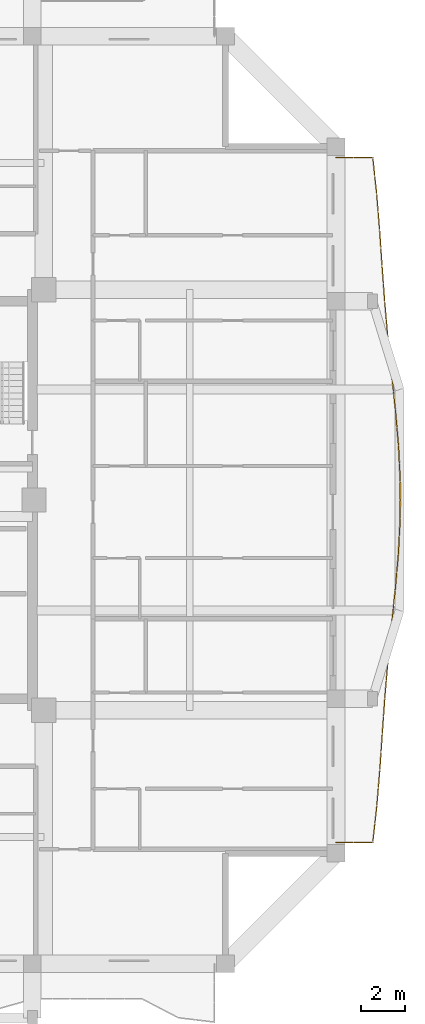
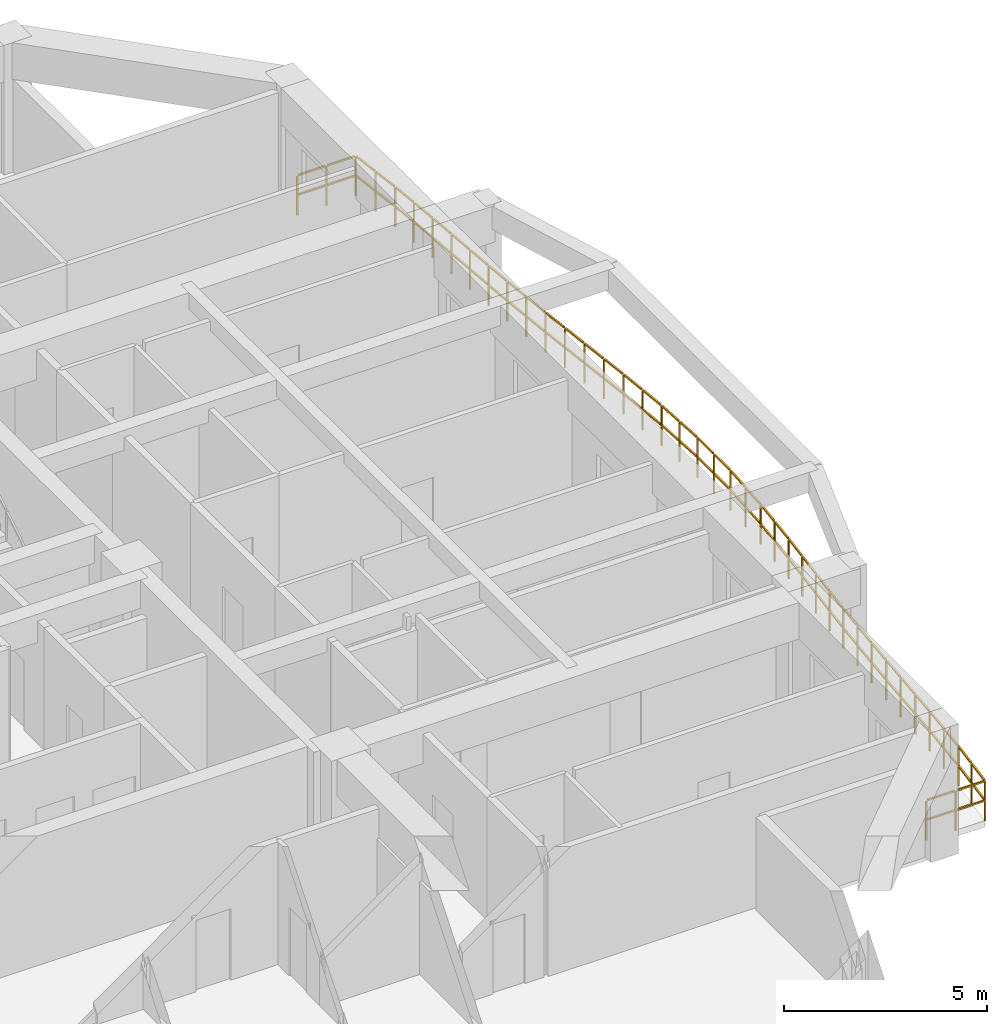
# One storey, part 12 of 13: 1 railing.
"""IFC4 building model written with IfcOpenShell, lengths in metres."""

from ifc_helpers import new_model, si_unit, direction, frame, origin, origin_2d, place, context, subcontext, project, spatial, rectangle, extrude, material, type_object, element, save


model = new_model("IFC4")

# Units and contexts
model_context = context("Model", 3, precision=1e-05, world=origin(), true_north=direction((0.0, 1.0)))
body_context = subcontext(model_context, "Body", "Model", "MODEL_VIEW")
ifc_project = project(units=[si_unit("LENGTHUNIT", "METRE"), si_unit("AREAUNIT", "SQUARE_METRE"), si_unit("VOLUMEUNIT", "CUBIC_METRE"), si_unit("PLANEANGLEUNIT", "RADIAN"), si_unit("MASSUNIT", "GRAM", prefix="KILO")], contexts=[model_context])

# Site, building, storey
site_placement = place(None, origin())
site = spatial("IfcSite", under=ifc_project, at=site_placement, CompositionType="ELEMENT")
building_placement = place(site_placement, origin())
building = spatial("IfcBuilding", under=site, at=building_placement, Name="Saelheon Loggia Tower", CompositionType="ELEMENT")
storey_placement = place(building_placement, frame((0.0, 0.0, 172.89990234375)))
storey = spatial("IfcBuildingStorey", under=building, at=storey_placement, Name="L54", CompositionType="ELEMENT", Elevation=172.89990234375)

# Railing
ifc_material = material(Name="Architectural Precast Concrete and Laminated Glass Guard", Category="concrete")
railing_type = type_object("IfcRailingType", Name="Guard_Loggia_RL_LOG", PredefinedType="BALUSTRADE", material=ifc_material)
railing_placement = place(storey_placement, frame((58.25, 11.5, 0.0)))
element("IfcRailing", 1, at=railing_placement, inside=storey, type_object=railing_type, Name="L54 East Loggia Balustrade", PredefinedType="BALUSTRADE", context=body_context, shape_type="SweptSolid", body=[
    extrude(rectangle(XDim=0.048095703125, YDim=0.048095703125, at=origin_2d()), frame((0.033203125, 0.0, 1.19580078125), z_axis=(1.0, 0.0, 0.0), x_axis=(0.0, 1.0, 0.0)), (0.0, 0.0, 1.0), 0.7685546875),
    extrude(rectangle(XDim=0.048095703125, YDim=0.048095703125, at=origin_2d()), frame((0.033203125, 0.0, 0.60986328125), z_axis=(1.0, 0.0, 0.0), x_axis=(0.0, 1.0, 0.0)), (0.0, 0.0, 1.0), 0.7685546875),
    extrude(rectangle(XDim=0.048095703125, YDim=0.048095703125, at=origin_2d()), frame((0.8681640625, 0.0, 1.19580078125), z_axis=(1.0, 0.0, 0.0), x_axis=(0.0, 1.0, 0.0)), (0.0, 0.0, 1.0), 0.7685546875),
    extrude(rectangle(XDim=0.048095703125, YDim=0.048095703125, at=origin_2d()), frame((0.8681640625, 0.0, 0.60986328125), z_axis=(1.0, 0.0, 0.0), x_axis=(0.0, 1.0, 0.0)), (0.0, 0.0, 1.0), 0.7685546875),
    extrude(rectangle(XDim=0.048095703125, YDim=0.048095703125, at=origin_2d()), frame((1.673583984375, 0.032958984375, 1.19580078125), z_axis=(0.110202999113, 0.993909099962, 0.0), x_axis=(-0.993909099962, 0.110202999113, 0.0)), (0.0, 0.0, 1.0), 0.75439453125),
    extrude(rectangle(XDim=0.048095703125, YDim=0.048095703125, at=origin_2d()), frame((1.673583984375, 0.032958984375, 0.60986328125), z_axis=(0.110202999113, 0.993909099962, 0.0), x_axis=(-0.993909099962, 0.110202999113, 0.0)), (0.0, 0.0, 1.0), 0.75439453125),
    extrude(rectangle(XDim=0.048095703125, YDim=0.048095703125, at=origin_2d()), frame((1.76416015625, 0.848876953125, 1.19580078125), z_axis=(0.110202999113, 0.993909099962, 0.0), x_axis=(-0.993909099962, 0.110202999113, 0.0)), (0.0, 0.0, 1.0), 0.75439453125),
    extrude(rectangle(XDim=0.048095703125, YDim=0.048095703125, at=origin_2d()), frame((1.76416015625, 0.848876953125, 0.60986328125), z_axis=(0.110202999113, 0.993909099962, 0.0), x_axis=(-0.993909099962, 0.110202999113, 0.0)), (0.0, 0.0, 1.0), 0.75439453125),
    extrude(rectangle(XDim=0.048095703125, YDim=0.048095703125, at=origin_2d()), frame((1.853515625, 1.664794921875, 1.19580078125), z_axis=(0.082761634161, 0.996569371349, 0.0), x_axis=(-0.996569371349, 0.082761634161, 0.0)), (0.0, 0.0, 1.0), 0.752197265625),
    extrude(rectangle(XDim=0.048095703125, YDim=0.048095703125, at=origin_2d()), frame((1.853515625, 1.664794921875, 0.60986328125), z_axis=(0.082761634161, 0.996569371349, 0.0), x_axis=(-0.996569371349, 0.082761634161, 0.0)), (0.0, 0.0, 1.0), 0.752197265625),
    extrude(rectangle(XDim=0.048095703125, YDim=0.048095703125, at=origin_2d()), frame((1.92138671875, 2.48046875, 1.19580078125), z_axis=(0.082761634161, 0.996569371349, 0.0), x_axis=(-0.996569371349, 0.082761634161, 0.0)), (0.0, 0.0, 1.0), 0.752197265625),
    extrude(rectangle(XDim=0.048095703125, YDim=0.048095703125, at=origin_2d()), frame((1.92138671875, 2.48046875, 0.60986328125), z_axis=(0.082761634161, 0.996569371349, 0.0), x_axis=(-0.996569371349, 0.082761634161, 0.0)), (0.0, 0.0, 1.0), 0.752197265625),
    extrude(rectangle(XDim=0.048095703125, YDim=0.048095703125, at=origin_2d()), frame((1.988525390625, 3.29638671875, 1.19580078125), z_axis=(0.068371725473, 0.99765991558, 0.0), x_axis=(-0.99765991558, 0.068371725473, 0.0)), (0.0, 0.0, 1.0), 0.751220703125),
    extrude(rectangle(XDim=0.048095703125, YDim=0.048095703125, at=origin_2d()), frame((1.988525390625, 3.29638671875, 0.60986328125), z_axis=(0.068371725473, 0.99765991558, 0.0), x_axis=(-0.99765991558, 0.068371725473, 0.0)), (0.0, 0.0, 1.0), 0.751220703125),
    extrude(rectangle(XDim=0.048095703125, YDim=0.048095703125, at=origin_2d()), frame((2.04443359375, 4.112060546875, 1.19580078125), z_axis=(0.068371725473, 0.99765991558, 0.0), x_axis=(-0.99765991558, 0.068371725473, 0.0)), (0.0, 0.0, 1.0), 0.751220703125),
    extrude(rectangle(XDim=0.048095703125, YDim=0.048095703125, at=origin_2d()), frame((2.04443359375, 4.112060546875, 0.60986328125), z_axis=(0.068371725473, 0.99765991558, 0.0), x_axis=(-0.99765991558, 0.068371725473, 0.0)), (0.0, 0.0, 1.0), 0.751220703125),
    extrude(rectangle(XDim=0.048095703125, YDim=0.048095703125, at=origin_2d()), frame((2.1005859375, 4.927978515625, 1.19580078125), z_axis=(0.070302947542, 0.99752568667, 0.0), x_axis=(-0.99752568667, 0.070302947542, 0.0)), (0.0, 0.0, 1.0), 0.75146484375),
    extrude(rectangle(XDim=0.048095703125, YDim=0.048095703125, at=origin_2d()), frame((2.1005859375, 4.927978515625, 0.60986328125), z_axis=(0.070302947542, 0.99752568667, 0.0), x_axis=(-0.99752568667, 0.070302947542, 0.0)), (0.0, 0.0, 1.0), 0.75146484375),
    extrude(rectangle(XDim=0.048095703125, YDim=0.048095703125, at=origin_2d()), frame((2.157958984375, 5.74365234375, 1.19580078125), z_axis=(0.070302947542, 0.99752568667, 0.0), x_axis=(-0.99752568667, 0.070302947542, 0.0)), (0.0, 0.0, 1.0), 0.75146484375),
    extrude(rectangle(XDim=0.048095703125, YDim=0.048095703125, at=origin_2d()), frame((2.157958984375, 5.74365234375, 0.60986328125), z_axis=(0.070302947542, 0.99752568667, 0.0), x_axis=(-0.99752568667, 0.070302947542, 0.0)), (0.0, 0.0, 1.0), 0.75146484375),
    extrude(rectangle(XDim=0.048095703125, YDim=0.048095703125, at=origin_2d()), frame((2.2158203125, 6.5595703125, 1.19580078125), z_axis=(0.08409429892, 0.996457800857, 0.0), x_axis=(-0.996457800857, 0.08409429892, 0.0)), (0.0, 0.0, 1.0), 0.752197265625),
    extrude(rectangle(XDim=0.048095703125, YDim=0.048095703125, at=origin_2d()), frame((2.2158203125, 6.5595703125, 0.60986328125), z_axis=(0.08409429892, 0.996457800857, 0.0), x_axis=(-0.996457800857, 0.08409429892, 0.0)), (0.0, 0.0, 1.0), 0.752197265625),
    extrude(rectangle(XDim=0.048095703125, YDim=0.048095703125, at=origin_2d()), frame((2.28466796875, 7.375244140625, 1.19580078125), z_axis=(0.08409429892, 0.996457800857, 0.0), x_axis=(-0.996457800857, 0.08409429892, 0.0)), (0.0, 0.0, 1.0), 0.752197265625),
    extrude(rectangle(XDim=0.048095703125, YDim=0.048095703125, at=origin_2d()), frame((2.28466796875, 7.375244140625, 0.60986328125), z_axis=(0.08409429892, 0.996457800857, 0.0), x_axis=(-0.996457800857, 0.08409429892, 0.0)), (0.0, 0.0, 1.0), 0.752197265625),
    extrude(rectangle(XDim=0.048095703125, YDim=0.048095703125, at=origin_2d()), frame((2.35400390625, 8.19091796875, 1.19580078125), z_axis=(0.098869767063, 0.995100381449, 0.0), x_axis=(-0.995100381449, 0.098869767063, 0.0)), (0.0, 0.0, 1.0), 0.75341796875),
    extrude(rectangle(XDim=0.048095703125, YDim=0.048095703125, at=origin_2d()), frame((2.35400390625, 8.19091796875, 0.60986328125), z_axis=(0.098869767063, 0.995100381449, 0.0), x_axis=(-0.995100381449, 0.098869767063, 0.0)), (0.0, 0.0, 1.0), 0.75341796875),
    extrude(rectangle(XDim=0.048095703125, YDim=0.048095703125, at=origin_2d()), frame((2.43505859375, 9.0068359375, 1.19580078125), z_axis=(0.098869767063, 0.995100381449, 0.0), x_axis=(-0.995100381449, 0.098869767063, 0.0)), (0.0, 0.0, 1.0), 0.75341796875),
    extrude(rectangle(XDim=0.048095703125, YDim=0.048095703125, at=origin_2d()), frame((2.43505859375, 9.0068359375, 0.60986328125), z_axis=(0.098869767063, 0.995100381449, 0.0), x_axis=(-0.995100381449, 0.098869767063, 0.0)), (0.0, 0.0, 1.0), 0.75341796875),
    extrude(rectangle(XDim=0.048095703125, YDim=0.048095703125, at=origin_2d()), frame((2.516357421875, 9.822509765625, 1.19580078125), z_axis=(0.102701101398, 0.994712261798, 0.0), x_axis=(-0.994712261798, 0.102701101398, 0.0)), (0.0, 0.0, 1.0), 0.753662109375),
    extrude(rectangle(XDim=0.048095703125, YDim=0.048095703125, at=origin_2d()), frame((2.516357421875, 9.822509765625, 0.60986328125), z_axis=(0.102701101398, 0.994712261798, 0.0), x_axis=(-0.994712261798, 0.102701101398, 0.0)), (0.0, 0.0, 1.0), 0.753662109375),
    extrude(rectangle(XDim=0.048095703125, YDim=0.048095703125, at=origin_2d()), frame((2.6005859375, 10.638427734375, 1.19580078125), z_axis=(0.102701101398, 0.994712261798, 0.0), x_axis=(-0.994712261798, 0.102701101398, 0.0)), (0.0, 0.0, 1.0), 0.753662109375),
    extrude(rectangle(XDim=0.048095703125, YDim=0.048095703125, at=origin_2d()), frame((2.6005859375, 10.638427734375, 0.60986328125), z_axis=(0.102701101398, 0.994712261798, 0.0), x_axis=(-0.994712261798, 0.102701101398, 0.0)), (0.0, 0.0, 1.0), 0.753662109375),
    extrude(rectangle(XDim=0.048095703125, YDim=0.048095703125, at=origin_2d()), frame((2.684326171875, 11.454345703125, 1.19580078125), z_axis=(0.087067080428, 0.996202451064, 0.0), x_axis=(-0.996202451064, 0.087067080428, 0.0)), (0.0, 0.0, 1.0), 0.752197265625),
    extrude(rectangle(XDim=0.048095703125, YDim=0.048095703125, at=origin_2d()), frame((2.684326171875, 11.454345703125, 0.60986328125), z_axis=(0.087067080428, 0.996202451064, 0.0), x_axis=(-0.996202451064, 0.087067080428, 0.0)), (0.0, 0.0, 1.0), 0.752197265625),
    extrude(rectangle(XDim=0.048095703125, YDim=0.048095703125, at=origin_2d()), frame((2.755615234375, 12.27001953125, 1.19580078125), z_axis=(0.087067080428, 0.996202451064, 0.0), x_axis=(-0.996202451064, 0.087067080428, 0.0)), (0.0, 0.0, 1.0), 0.752197265625),
    extrude(rectangle(XDim=0.048095703125, YDim=0.048095703125, at=origin_2d()), frame((2.755615234375, 12.27001953125, 0.60986328125), z_axis=(0.087067080428, 0.996202451064, 0.0), x_axis=(-0.996202451064, 0.087067080428, 0.0)), (0.0, 0.0, 1.0), 0.752197265625),
    extrude(rectangle(XDim=0.048095703125, YDim=0.048095703125, at=origin_2d()), frame((2.82568359375, 13.085693359375, 1.19580078125), z_axis=(0.051256790188, 0.998685506784, 0.0), x_axis=(-0.998685506784, 0.051256790188, 0.0)), (0.0, 0.0, 1.0), 0.75048828125),
    extrude(rectangle(XDim=0.048095703125, YDim=0.048095703125, at=origin_2d()), frame((2.82568359375, 13.085693359375, 0.60986328125), z_axis=(0.051256790188, 0.998685506784, 0.0), x_axis=(-0.998685506784, 0.051256790188, 0.0)), (0.0, 0.0, 1.0), 0.75048828125),
    extrude(rectangle(XDim=0.048095703125, YDim=0.048095703125, at=origin_2d()), frame((2.867431640625, 13.9013671875, 1.19580078125), z_axis=(0.051256790188, 0.998685506784, 0.0), x_axis=(-0.998685506784, 0.051256790188, 0.0)), (0.0, 0.0, 1.0), 0.75048828125),
    extrude(rectangle(XDim=0.048095703125, YDim=0.048095703125, at=origin_2d()), frame((2.867431640625, 13.9013671875, 0.60986328125), z_axis=(0.051256790188, 0.998685506784, 0.0), x_axis=(-0.998685506784, 0.051256790188, 0.0)), (0.0, 0.0, 1.0), 0.75048828125),
    extrude(rectangle(XDim=0.048095703125, YDim=0.048095703125, at=origin_2d()), frame((2.90771484375, 14.71728515625, 1.19580078125), z_axis=(0.001944939469, 0.999998108603, 0.0), x_axis=(-0.999998108603, 0.001944939469, 0.0)), (0.0, 0.0, 1.0), 0.74951171875),
    extrude(rectangle(XDim=0.048095703125, YDim=0.048095703125, at=origin_2d()), frame((2.90771484375, 14.71728515625, 0.60986328125), z_axis=(0.001944939469, 0.999998108603, 0.0), x_axis=(-0.999998108603, 0.001944939469, 0.0)), (0.0, 0.0, 1.0), 0.74951171875),
    extrude(rectangle(XDim=0.048095703125, YDim=0.048095703125, at=origin_2d()), frame((2.909423828125, 15.533203125, 1.19580078125), z_axis=(0.001944939469, 0.999998108603, 0.0), x_axis=(-0.999998108603, 0.001944939469, 0.0)), (0.0, 0.0, 1.0), 0.74951171875),
    extrude(rectangle(XDim=0.048095703125, YDim=0.048095703125, at=origin_2d()), frame((2.909423828125, 15.533203125, 0.60986328125), z_axis=(0.001944939469, 0.999998108603, 0.0), x_axis=(-0.999998108603, 0.001944939469, 0.0)), (0.0, 0.0, 1.0), 0.74951171875),
    extrude(rectangle(XDim=0.048095703125, YDim=0.048095703125, at=origin_2d()), frame((2.9091796875, 16.34912109375, 1.19580078125), z_axis=(-0.048275236415, 0.998834071079, 0.0), x_axis=(-0.998834071079, -0.048275236415, 0.0)), (0.0, 0.0, 1.0), 0.750244140625),
    extrude(rectangle(XDim=0.048095703125, YDim=0.048095703125, at=origin_2d()), frame((2.9091796875, 16.34912109375, 0.60986328125), z_axis=(-0.048275236415, 0.998834071079, 0.0), x_axis=(-0.998834071079, -0.048275236415, 0.0)), (0.0, 0.0, 1.0), 0.750244140625),
    extrude(rectangle(XDim=0.048095703125, YDim=0.048095703125, at=origin_2d()), frame((2.869873046875, 17.164794921875, 1.19580078125), z_axis=(-0.048275236415, 0.998834071079, 0.0), x_axis=(-0.998834071079, -0.048275236415, 0.0)), (0.0, 0.0, 1.0), 0.750244140625),
    extrude(rectangle(XDim=0.048095703125, YDim=0.048095703125, at=origin_2d()), frame((2.869873046875, 17.164794921875, 0.60986328125), z_axis=(-0.048275236415, 0.998834071079, 0.0), x_axis=(-0.998834071079, -0.048275236415, 0.0)), (0.0, 0.0, 1.0), 0.750244140625),
    extrude(rectangle(XDim=0.048095703125, YDim=0.048095703125, at=origin_2d()), frame((2.8291015625, 17.980712890625, 1.19580078125), z_axis=(-0.086179233363, 0.996279649364, 0.0), x_axis=(-0.996279649364, -0.086179233363, 0.0)), (0.0, 0.0, 1.0), 0.752197265625),
    extrude(rectangle(XDim=0.048095703125, YDim=0.048095703125, at=origin_2d()), frame((2.8291015625, 17.980712890625, 0.60986328125), z_axis=(-0.086179233363, 0.996279649364, 0.0), x_axis=(-0.996279649364, -0.086179233363, 0.0)), (0.0, 0.0, 1.0), 0.752197265625),
    extrude(rectangle(XDim=0.048095703125, YDim=0.048095703125, at=origin_2d()), frame((2.758544921875, 18.79638671875, 1.19580078125), z_axis=(-0.086179233363, 0.996279649364, 0.0), x_axis=(-0.996279649364, -0.086179233363, 0.0)), (0.0, 0.0, 1.0), 0.752197265625),
    extrude(rectangle(XDim=0.048095703125, YDim=0.048095703125, at=origin_2d()), frame((2.758544921875, 18.79638671875, 0.60986328125), z_axis=(-0.086179233363, 0.996279649364, 0.0), x_axis=(-0.996279649364, -0.086179233363, 0.0)), (0.0, 0.0, 1.0), 0.752197265625),
    extrude(rectangle(XDim=0.048095703125, YDim=0.048095703125, at=origin_2d()), frame((2.6875, 19.61181640625, 1.19580078125), z_axis=(-0.104026277092, 0.994574549078, 0.0), x_axis=(-0.994574549078, -0.104026277092, 0.0)), (0.0, 0.0, 1.0), 0.753662109375),
    extrude(rectangle(XDim=0.048095703125, YDim=0.048095703125, at=origin_2d()), frame((2.6875, 19.61181640625, 0.60986328125), z_axis=(-0.104026277092, 0.994574549078, 0.0), x_axis=(-0.994574549078, -0.104026277092, 0.0)), (0.0, 0.0, 1.0), 0.753662109375),
    extrude(rectangle(XDim=0.048095703125, YDim=0.048095703125, at=origin_2d()), frame((2.60205078125, 20.427734375, 1.19580078125), z_axis=(-0.104026277092, 0.994574549078, 0.0), x_axis=(-0.994574549078, -0.104026277092, 0.0)), (0.0, 0.0, 1.0), 0.753662109375),
    extrude(rectangle(XDim=0.048095703125, YDim=0.048095703125, at=origin_2d()), frame((2.60205078125, 20.427734375, 0.60986328125), z_axis=(-0.104026277092, 0.994574549078, 0.0), x_axis=(-0.994574549078, -0.104026277092, 0.0)), (0.0, 0.0, 1.0), 0.753662109375),
    extrude(rectangle(XDim=0.048095703125, YDim=0.048095703125, at=origin_2d()), frame((2.516845703125, 21.243408203125, 1.19580078125), z_axis=(-0.102111958424, 0.994772912753, 0.0), x_axis=(-0.994772912753, -0.102111958424, 0.0)), (0.0, 0.0, 1.0), 0.753662109375),
    extrude(rectangle(XDim=0.048095703125, YDim=0.048095703125, at=origin_2d()), frame((2.516845703125, 21.243408203125, 0.60986328125), z_axis=(-0.102111958424, 0.994772912753, 0.0), x_axis=(-0.994772912753, -0.102111958424, 0.0)), (0.0, 0.0, 1.0), 0.753662109375),
    extrude(rectangle(XDim=0.048095703125, YDim=0.048095703125, at=origin_2d()), frame((2.43310546875, 22.059326171875, 1.19580078125), z_axis=(-0.102111958424, 0.994772912753, 0.0), x_axis=(-0.994772912753, -0.102111958424, 0.0)), (0.0, 0.0, 1.0), 0.753662109375),
    extrude(rectangle(XDim=0.048095703125, YDim=0.048095703125, at=origin_2d()), frame((2.43310546875, 22.059326171875, 0.60986328125), z_axis=(-0.102111958424, 0.994772912753, 0.0), x_axis=(-0.994772912753, -0.102111958424, 0.0)), (0.0, 0.0, 1.0), 0.753662109375),
    extrude(rectangle(XDim=0.048095703125, YDim=0.048095703125, at=origin_2d()), frame((2.349853515625, 22.875244140625, 1.19580078125), z_axis=(-0.087941660899, 0.996125626755, 0.0), x_axis=(-0.996125626755, -0.087941660899, 0.0)), (0.0, 0.0, 1.0), 0.75244140625),
    extrude(rectangle(XDim=0.048095703125, YDim=0.048095703125, at=origin_2d()), frame((2.349853515625, 22.875244140625, 0.60986328125), z_axis=(-0.087941660899, 0.996125626755, 0.0), x_axis=(-0.996125626755, -0.087941660899, 0.0)), (0.0, 0.0, 1.0), 0.75244140625),
    extrude(rectangle(XDim=0.048095703125, YDim=0.048095703125, at=origin_2d()), frame((2.27783203125, 23.69091796875, 1.19580078125), z_axis=(-0.087941660899, 0.996125626755, 0.0), x_axis=(-0.996125626755, -0.087941660899, 0.0)), (0.0, 0.0, 1.0), 0.75244140625),
    extrude(rectangle(XDim=0.048095703125, YDim=0.048095703125, at=origin_2d()), frame((2.27783203125, 23.69091796875, 0.60986328125), z_axis=(-0.087941660899, 0.996125626755, 0.0), x_axis=(-0.996125626755, -0.087941660899, 0.0)), (0.0, 0.0, 1.0), 0.75244140625),
    extrude(rectangle(XDim=0.048095703125, YDim=0.048095703125, at=origin_2d()), frame((2.206298828125, 24.5068359375, 1.19580078125), z_axis=(-0.072975638312, 0.997333723592, 0.0), x_axis=(-0.997333723592, -0.072975638312, 0.0)), (0.0, 0.0, 1.0), 0.75146484375),
    extrude(rectangle(XDim=0.048095703125, YDim=0.048095703125, at=origin_2d()), frame((2.206298828125, 24.5068359375, 0.60986328125), z_axis=(-0.072975638312, 0.997333723592, 0.0), x_axis=(-0.997333723592, -0.072975638312, 0.0)), (0.0, 0.0, 1.0), 0.75146484375),
    extrude(rectangle(XDim=0.048095703125, YDim=0.048095703125, at=origin_2d()), frame((2.146728515625, 25.322509765625, 1.19580078125), z_axis=(-0.072975638312, 0.997333723592, 0.0), x_axis=(-0.997333723592, -0.072975638312, 0.0)), (0.0, 0.0, 1.0), 0.75146484375),
    extrude(rectangle(XDim=0.048095703125, YDim=0.048095703125, at=origin_2d()), frame((2.146728515625, 25.322509765625, 0.60986328125), z_axis=(-0.072975638312, 0.997333723592, 0.0), x_axis=(-0.997333723592, -0.072975638312, 0.0)), (0.0, 0.0, 1.0), 0.75146484375),
    extrude(rectangle(XDim=0.048095703125, YDim=0.048095703125, at=origin_2d()), frame((2.087158203125, 26.138427734375, 1.19580078125), z_axis=(-0.068817461126, 0.997629268338, 0.0), x_axis=(-0.997629268338, -0.068817461126, 0.0)), (0.0, 0.0, 1.0), 0.751220703125),
    extrude(rectangle(XDim=0.048095703125, YDim=0.048095703125, at=origin_2d()), frame((2.087158203125, 26.138427734375, 0.60986328125), z_axis=(-0.068817461126, 0.997629268338, 0.0), x_axis=(-0.997629268338, -0.068817461126, 0.0)), (0.0, 0.0, 1.0), 0.751220703125),
    extrude(rectangle(XDim=0.048095703125, YDim=0.048095703125, at=origin_2d()), frame((2.03076171875, 26.9541015625, 1.19580078125), z_axis=(-0.068817461126, 0.997629268338, 0.0), x_axis=(-0.997629268338, -0.068817461126, 0.0)), (0.0, 0.0, 1.0), 0.751220703125),
    extrude(rectangle(XDim=0.048095703125, YDim=0.048095703125, at=origin_2d()), frame((2.03076171875, 26.9541015625, 0.60986328125), z_axis=(-0.068817461126, 0.997629268338, 0.0), x_axis=(-0.997629268338, -0.068817461126, 0.0)), (0.0, 0.0, 1.0), 0.751220703125),
    extrude(rectangle(XDim=0.048095703125, YDim=0.048095703125, at=origin_2d()), frame((1.97412109375, 27.77001953125, 1.19580078125), z_axis=(-0.080835891672, 0.996727424433, 0.0), x_axis=(-0.996727424433, -0.080835891672, 0.0)), (0.0, 0.0, 1.0), 0.751953125),
    extrude(rectangle(XDim=0.048095703125, YDim=0.048095703125, at=origin_2d()), frame((1.97412109375, 27.77001953125, 0.60986328125), z_axis=(-0.080835891672, 0.996727424433, 0.0), x_axis=(-0.996727424433, -0.080835891672, 0.0)), (0.0, 0.0, 1.0), 0.751953125),
    extrude(rectangle(XDim=0.048095703125, YDim=0.048095703125, at=origin_2d()), frame((1.907958984375, 28.585693359375, 1.19580078125), z_axis=(-0.080835891672, 0.996727424433, 0.0), x_axis=(-0.996727424433, -0.080835891672, 0.0)), (0.0, 0.0, 1.0), 0.751953125),
    extrude(rectangle(XDim=0.048095703125, YDim=0.048095703125, at=origin_2d()), frame((1.907958984375, 28.585693359375, 0.60986328125), z_axis=(-0.080835891672, 0.996727424433, 0.0), x_axis=(-0.996727424433, -0.080835891672, 0.0)), (0.0, 0.0, 1.0), 0.751953125),
    extrude(rectangle(XDim=0.048095703125, YDim=0.048095703125, at=origin_2d()), frame((1.8408203125, 29.4013671875, 1.19580078125), z_axis=(-0.106527870298, 0.994309716763, 0.0), x_axis=(-0.994309716763, -0.106527870298, 0.0)), (0.0, 0.0, 1.0), 0.75390625),
    extrude(rectangle(XDim=0.048095703125, YDim=0.048095703125, at=origin_2d()), frame((1.8408203125, 29.4013671875, 0.60986328125), z_axis=(-0.106527870298, 0.994309716763, 0.0), x_axis=(-0.994309716763, -0.106527870298, 0.0)), (0.0, 0.0, 1.0), 0.75390625),
    extrude(rectangle(XDim=0.048095703125, YDim=0.048095703125, at=origin_2d()), frame((1.75341796875, 30.21728515625, 1.19580078125), z_axis=(-0.106527870298, 0.994309716763, 0.0), x_axis=(-0.994309716763, -0.106527870298, 0.0)), (0.0, 0.0, 1.0), 0.75390625),
    extrude(rectangle(XDim=0.048095703125, YDim=0.048095703125, at=origin_2d()), frame((1.75341796875, 30.21728515625, 0.60986328125), z_axis=(-0.106527870298, 0.994309716763, 0.0), x_axis=(-0.994309716763, -0.106527870298, 0.0)), (0.0, 0.0, 1.0), 0.75390625),
    extrude(rectangle(XDim=0.048095703125, YDim=0.048095703125, at=origin_2d()), frame((1.636474609375, 31.0, 1.19580078125), z_axis=(-1.0, 0.0, 0.0), x_axis=(0.0, -1.0, 0.0)), (0.0, 0.0, 1.0), 0.768310546875),
    extrude(rectangle(XDim=0.048095703125, YDim=0.048095703125, at=origin_2d()), frame((1.636474609375, 31.0, 0.60986328125), z_axis=(-1.0, 0.0, 0.0), x_axis=(0.0, -1.0, 0.0)), (0.0, 0.0, 1.0), 0.768310546875),
    extrude(rectangle(XDim=0.048095703125, YDim=0.048095703125, at=origin_2d()), frame((0.801513671875, 31.0, 1.19580078125), z_axis=(-1.0, 0.0, 0.0), x_axis=(0.0, -1.0, 0.0)), (0.0, 0.0, 1.0), 0.768310546875),
    extrude(rectangle(XDim=0.048095703125, YDim=0.048095703125, at=origin_2d()), frame((0.801513671875, 31.0, 0.60986328125), z_axis=(-1.0, 0.0, 0.0), x_axis=(0.0, -1.0, 0.0)), (0.0, 0.0, 1.0), 0.768310546875),
    extrude(rectangle(XDim=0.0419921875, YDim=0.0419921875, at=origin_2d()), origin(), (0.0, 0.0, 1.0), 1.16796875),
    extrude(rectangle(XDim=0.0419921875, YDim=0.0419921875, at=origin_2d()), frame((0.8349609375, 0.0, 0.0)), (0.0, 0.0, 1.0), 1.16796875),
    extrude(rectangle(XDim=0.0419921875, YDim=0.0419921875, at=origin_2d()), frame((1.669921875, 0.0, 0.0)), (0.0, 0.0, 1.0), 1.16796875),
    extrude(rectangle(XDim=0.0419921875, YDim=0.0419921875, at=origin_2d()), frame((1.76025390625, 0.81591796875, 0.0)), (0.0, 0.0, 1.0), 1.16796875),
    extrude(rectangle(XDim=0.0419921875, YDim=0.0419921875, at=origin_2d()), frame((1.850830078125, 1.631591796875, 0.0)), (0.0, 0.0, 1.0), 1.16796875),
    extrude(rectangle(XDim=0.0419921875, YDim=0.0419921875, at=origin_2d()), frame((1.91845703125, 2.447265625, 0.0)), (0.0, 0.0, 1.0), 1.16796875),
    extrude(rectangle(XDim=0.0419921875, YDim=0.0419921875, at=origin_2d()), frame((1.986328125, 3.26318359375, 0.0)), (0.0, 0.0, 1.0), 1.16796875),
    extrude(rectangle(XDim=0.0419921875, YDim=0.0419921875, at=origin_2d()), frame((2.042236328125, 4.0791015625, 0.0)), (0.0, 0.0, 1.0), 1.16796875),
    extrude(rectangle(XDim=0.0419921875, YDim=0.0419921875, at=origin_2d()), frame((2.09814453125, 4.894775390625, 0.0)), (0.0, 0.0, 1.0), 1.16796875),
    extrude(rectangle(XDim=0.0419921875, YDim=0.0419921875, at=origin_2d()), frame((2.15576171875, 5.71044921875, 0.0)), (0.0, 0.0, 1.0), 1.16796875),
    extrude(rectangle(XDim=0.0419921875, YDim=0.0419921875, at=origin_2d()), frame((2.213134765625, 6.5263671875, 0.0)), (0.0, 0.0, 1.0), 1.16796875),
    extrude(rectangle(XDim=0.0419921875, YDim=0.0419921875, at=origin_2d()), frame((2.281982421875, 7.34228515625, 0.0)), (0.0, 0.0, 1.0), 1.16796875),
    extrude(rectangle(XDim=0.0419921875, YDim=0.0419921875, at=origin_2d()), frame((2.350830078125, 8.157958984375, 0.0)), (0.0, 0.0, 1.0), 1.16796875),
    extrude(rectangle(XDim=0.0419921875, YDim=0.0419921875, at=origin_2d()), frame((2.431884765625, 8.9736328125, 0.0)), (0.0, 0.0, 1.0), 1.16796875),
    extrude(rectangle(XDim=0.0419921875, YDim=0.0419921875, at=origin_2d()), frame((2.512939453125, 9.78955078125, 0.0)), (0.0, 0.0, 1.0), 1.16796875),
    extrude(rectangle(XDim=0.0419921875, YDim=0.0419921875, at=origin_2d()), frame((2.59716796875, 10.60546875, 0.0)), (0.0, 0.0, 1.0), 1.16796875),
    extrude(rectangle(XDim=0.0419921875, YDim=0.0419921875, at=origin_2d()), frame((2.681396484375, 11.421142578125, 0.0)), (0.0, 0.0, 1.0), 1.16796875),
    extrude(rectangle(XDim=0.0419921875, YDim=0.0419921875, at=origin_2d()), frame((2.752685546875, 12.23681640625, 0.0)), (0.0, 0.0, 1.0), 1.16796875),
    extrude(rectangle(XDim=0.0419921875, YDim=0.0419921875, at=origin_2d()), frame((2.823974609375, 13.052490234375, 0.0)), (0.0, 0.0, 1.0), 1.16796875),
    extrude(rectangle(XDim=0.0419921875, YDim=0.0419921875, at=origin_2d()), frame((2.86572265625, 13.8681640625, 0.0)), (0.0, 0.0, 1.0), 1.16796875),
    extrude(rectangle(XDim=0.0419921875, YDim=0.0419921875, at=origin_2d()), frame((2.90771484375, 14.68408203125, 0.0)), (0.0, 0.0, 1.0), 1.16796875),
    extrude(rectangle(XDim=0.0419921875, YDim=0.0419921875, at=origin_2d()), frame((2.9091796875, 15.5, 0.0)), (0.0, 0.0, 1.0), 1.16796875),
    extrude(rectangle(XDim=0.0419921875, YDim=0.0419921875, at=origin_2d()), frame((2.910888671875, 16.31591796875, 0.0)), (0.0, 0.0, 1.0), 1.16796875),
    extrude(rectangle(XDim=0.0419921875, YDim=0.0419921875, at=origin_2d()), frame((2.87158203125, 17.1318359375, 0.0)), (0.0, 0.0, 1.0), 1.16796875),
    extrude(rectangle(XDim=0.0419921875, YDim=0.0419921875, at=origin_2d()), frame((2.83203125, 17.947509765625, 0.0)), (0.0, 0.0, 1.0), 1.16796875),
    extrude(rectangle(XDim=0.0419921875, YDim=0.0419921875, at=origin_2d()), frame((2.761474609375, 18.76318359375, 0.0)), (0.0, 0.0, 1.0), 1.16796875),
    extrude(rectangle(XDim=0.0419921875, YDim=0.0419921875, at=origin_2d()), frame((2.69091796875, 19.578857421875, 0.0)), (0.0, 0.0, 1.0), 1.16796875),
    extrude(rectangle(XDim=0.0419921875, YDim=0.0419921875, at=origin_2d()), frame((2.60546875, 20.39453125, 0.0)), (0.0, 0.0, 1.0), 1.16796875),
    extrude(rectangle(XDim=0.0419921875, YDim=0.0419921875, at=origin_2d()), frame((2.520263671875, 21.21044921875, 0.0)), (0.0, 0.0, 1.0), 1.16796875),
    extrude(rectangle(XDim=0.0419921875, YDim=0.0419921875, at=origin_2d()), frame((2.4365234375, 22.0263671875, 0.0)), (0.0, 0.0, 1.0), 1.16796875),
    extrude(rectangle(XDim=0.0419921875, YDim=0.0419921875, at=origin_2d()), frame((2.352783203125, 22.842041015625, 0.0)), (0.0, 0.0, 1.0), 1.16796875),
    extrude(rectangle(XDim=0.0419921875, YDim=0.0419921875, at=origin_2d()), frame((2.28076171875, 23.65771484375, 0.0)), (0.0, 0.0, 1.0), 1.16796875),
    extrude(rectangle(XDim=0.0419921875, YDim=0.0419921875, at=origin_2d()), frame((2.208740234375, 24.4736328125, 0.0)), (0.0, 0.0, 1.0), 1.16796875),
    extrude(rectangle(XDim=0.0419921875, YDim=0.0419921875, at=origin_2d()), frame((2.14892578125, 25.28955078125, 0.0)), (0.0, 0.0, 1.0), 1.16796875),
    extrude(rectangle(XDim=0.0419921875, YDim=0.0419921875, at=origin_2d()), frame((2.08935546875, 26.105224609375, 0.0)), (0.0, 0.0, 1.0), 1.16796875),
    extrude(rectangle(XDim=0.0419921875, YDim=0.0419921875, at=origin_2d()), frame((2.033203125, 26.9208984375, 0.0)), (0.0, 0.0, 1.0), 1.16796875),
    extrude(rectangle(XDim=0.0419921875, YDim=0.0419921875, at=origin_2d()), frame((1.976806640625, 27.73681640625, 0.0)), (0.0, 0.0, 1.0), 1.16796875),
    extrude(rectangle(XDim=0.0419921875, YDim=0.0419921875, at=origin_2d()), frame((1.91064453125, 28.552734375, 0.0)), (0.0, 0.0, 1.0), 1.16796875),
    extrude(rectangle(XDim=0.0419921875, YDim=0.0419921875, at=origin_2d()), frame((1.844482421875, 29.368408203125, 0.0)), (0.0, 0.0, 1.0), 1.16796875),
    extrude(rectangle(XDim=0.0419921875, YDim=0.0419921875, at=origin_2d()), frame((1.757080078125, 30.18408203125, 0.0)), (0.0, 0.0, 1.0), 1.16796875),
    extrude(rectangle(XDim=0.0419921875, YDim=0.0419921875, at=origin_2d()), frame((1.669677734375, 31.0, 0.0)), (0.0, 0.0, 1.0), 1.16796875),
    extrude(rectangle(XDim=0.0419921875, YDim=0.0419921875, at=origin_2d()), frame((0.8349609375, 31.0, 0.0)), (0.0, 0.0, 1.0), 1.16796875),
    extrude(rectangle(XDim=0.0419921875, YDim=0.0419921875, at=origin_2d()), frame((0.0, 31.0, 0.0)), (0.0, 0.0, 1.0), 1.16796875),
])

save(model, "model.ifc")
